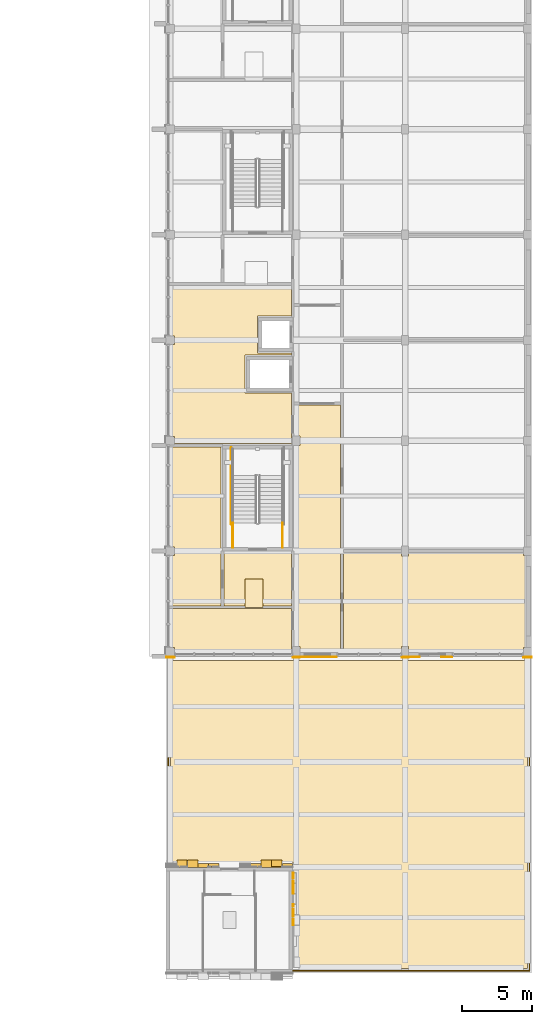
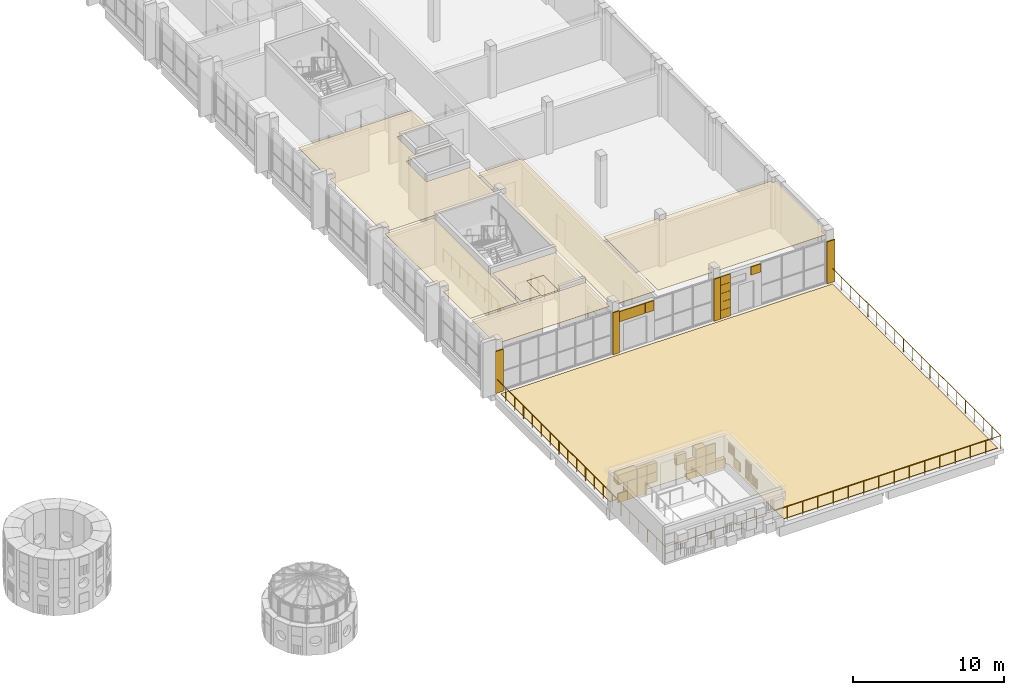
# One storey, part 38 of 42: 15 coverings, 4 railings.
"""IFC4 building model written with IfcOpenShell, lengths in metres."""

from ifc_helpers import new_model, si_unit, direction, frame, origin, origin_2d, place, context, subcontext, project, spatial, polyline, rectangle, circle, outline, extrude, material, layer, layer_set, type_object, element, save


model = new_model("IFC4")

# Units and contexts
model_context = context("Model", 3, precision=1e-05, world=origin(), true_north=direction((0.0, 1.0)))
body_context = subcontext(model_context, "Body", "Model", "MODEL_VIEW")
ifc_project = project(units=[si_unit("LENGTHUNIT", "METRE"), si_unit("AREAUNIT", "SQUARE_METRE"), si_unit("VOLUMEUNIT", "CUBIC_METRE"), si_unit("PLANEANGLEUNIT", "RADIAN"), si_unit("MASSUNIT", "GRAM", prefix="KILO")], contexts=[model_context])

# Site, building, storey
site_placement = place(None, origin())
site = spatial("IfcSite", under=ifc_project, at=site_placement, CompositionType="ELEMENT")
building_placement = place(site_placement, origin())
building = spatial("IfcBuilding", under=site, at=building_placement, Name="Sun Court Science Centre", CompositionType="ELEMENT")
storey_placement = place(building_placement, frame((0.0, 0.0, 20.25)))
storey = spatial("IfcBuildingStorey", under=building, at=storey_placement, Name="L04", CompositionType="ELEMENT", Elevation=20.25)

# Coverings
ifc_material_1 = material(Name="Gypsum board")
ifc_layer_1 = layer(ifc_material_1, 0.030029296875)
ifc_layer_set_1 = layer_set([ifc_layer_1], Name="Gypsum board")
covering_type_1 = type_object("IfcCoveringType", Name="Ceiling suspended 600 module", PredefinedType="CEILING", material=ifc_layer_set_1)
covering_1_placement = place(storey_placement, frame((0.0, 0.0, 3.77001953125)))
element("IfcCovering", 1, at=covering_1_placement, inside=storey, type_object=covering_type_1, Name="L04-006 ceiling", PredefinedType="CEILING", context=body_context, shape_type="SweptSolid", body=[
    extrude(outline(polyline([(87.10009765625, 29.199951171875), (87.10009765625, 43.5), (87.5, 43.5), (87.5, 44.199951171875), (87.10009765625, 44.199951171875), (87.10009765625, 46.39990234375), (90.39990234375, 46.39990234375), (90.39990234375, 28.699951171875), (87.5, 28.699951171875), (87.5, 29.199951171875), (87.10009765625, 29.199951171875)])), origin(), (0.0, 0.0, 1.0), 0.030029296875),
])
covering_2_placement = place(storey_placement, frame((0.0, 0.0, 3.77001953125)))
element("IfcCovering", 2, at=covering_2_placement, inside=storey, type_object=covering_type_1, Name="L04-009 ceiling", PredefinedType="CEILING", context=body_context, shape_type="SweptSolid", body=[
    extrude(outline(polyline([(84.89990234375, 34.0), (83.60009765625, 34.0), (83.60009765625, 32.10009765625), (82.10009765625, 32.10009765625), (82.10009765625, 35.89990234375), (86.89990234375, 35.89990234375), (86.89990234375, 32.10009765625), (84.89990234375, 32.10009765625), (84.89990234375, 34.0)])), origin(), (0.0, 0.0, 1.0), 0.030029296875),
])
covering_3_placement = place(storey_placement, frame((0.0, 0.0, 3.77001953125)))
element("IfcCovering", 3, at=covering_3_placement, inside=storey, type_object=covering_type_1, Name="L04-012 ceiling", PredefinedType="CEILING", context=body_context, shape_type="SweptSolid", body=[
    extrude(outline(polyline([(78.199951171875, 29.14990234375), (78.199951171875, 31.89990234375), (86.89990234375, 31.89990234375), (86.89990234375, 28.699951171875), (78.60009765625, 28.699951171875), (78.60009765625, 29.14990234375), (78.199951171875, 29.14990234375)])), origin(), (0.0, 0.0, 1.0), 0.030029296875),
])
covering_4_placement = place(storey_placement, frame((0.0, 0.0, 3.77001953125)))
element("IfcCovering", 4, at=covering_4_placement, inside=storey, type_object=covering_type_1, Name="L04-013 ceiling", PredefinedType="CEILING", context=body_context, shape_type="SweptSolid", body=[
    extrude(outline(polyline([(78.199951171875, 43.39990234375), (81.89990234375, 43.39990234375), (81.89990234375, 32.10009765625), (78.199951171875, 32.10009765625), (78.199951171875, 35.699951171875), (78.60009765625, 35.699951171875), (78.60009765625, 36.300048828125), (78.199951171875, 36.300048828125), (78.199951171875, 43.39990234375)])), origin(), (0.0, 0.0, 1.0), 0.030029296875),
])
covering_5_placement = place(storey_placement, frame((0.0, 0.0, 3.77001953125)))
element("IfcCovering", 5, at=covering_5_placement, inside=storey, type_object=covering_type_1, Name="L04-014 ceiling", PredefinedType="CEILING", context=body_context, shape_type="SweptSolid", body=[
    extrude(outline(polyline([(78.199951171875, 54.89990234375), (86.89990234375, 54.89990234375), (86.89990234375, 52.71240234375), (84.4775390625, 52.71240234375), (84.4775390625, 50.08740234375), (86.89990234375, 50.08740234375), (86.89990234375, 49.949951171875), (83.60009765625, 49.949951171875), (83.60009765625, 47.25), (86.89990234375, 47.25), (86.89990234375, 43.60009765625), (78.60009765625, 43.60009765625), (78.60009765625, 44.14990234375), (78.199951171875, 44.14990234375), (78.199951171875, 50.699951171875), (78.60009765625, 50.699951171875), (78.60009765625, 51.300048828125), (78.199951171875, 51.300048828125), (78.199951171875, 54.89990234375)])), origin(), (0.0, 0.0, 1.0), 0.030029296875),
])
covering_6_placement = place(storey_placement, frame((0.0, 0.0, 3.77001953125)))
element("IfcCovering", 6, at=covering_6_placement, inside=storey, type_object=covering_type_1, Name="L04-018 ceiling", PredefinedType="CEILING", context=body_context, shape_type="SweptSolid", body=[
    extrude(outline(polyline([(103.39990234375, 28.699951171875), (95.25, 28.699951171875), (95.25, 29.199951171875), (94.75, 29.199951171875), (94.75, 28.699951171875), (90.60009765625, 28.699951171875), (90.60009765625, 35.89990234375), (94.75, 35.89990234375), (94.75, 35.64990234375), (95.25, 35.64990234375), (95.25, 35.89990234375), (103.39990234375, 35.89990234375), (103.39990234375, 35.699951171875), (103.800048828125, 35.699951171875), (103.800048828125, 29.14990234375), (103.39990234375, 29.14990234375), (103.39990234375, 28.699951171875)])), origin(), (0.0, 0.0, 1.0), 0.030029296875),
])
covering_7_placement = place(storey_placement, frame((0.0, 0.0, 3.77001953125)))
element("IfcCovering", 7, at=covering_7_placement, inside=storey, type_object=covering_type_1, Name="L04-023 ceiling", PredefinedType="CEILING", context=body_context, shape_type="SweptSolid", body=[
    extrude(outline(polyline([(84.89990234375, 34.0), (84.89990234375, 32.0), (83.60009765625, 32.0), (83.60009765625, 34.0), (84.89990234375, 34.0)])), origin(), (0.0, 0.0, 1.0), 0.030029296875),
])

# Railings
ifc_material_2 = material(Name="Steel S275", Category="steel")
railing_type_1 = type_object("IfcRailingType", Name="Guard 1100 steel balustrade", PredefinedType="GUARDRAIL", material=ifc_material_2)
for number, where, name in (
    (8, (86.27294921875, 36.25, 0.0), "L04 SL2 stair guard 7"),
    (9, (82.72705078125, 36.25, 0.0), "L04 SL2 stair guard 8"),
):
    element("IfcRailing", number, at=place(storey_placement, frame(where)), inside=storey, type_object=railing_type_1, Name=name, PredefinedType="GUARDRAIL", context=body_context, shape_type="SweptSolid", body=[
        extrude(circle(Radius=0.02392578125, at=origin_2d()), frame((0.0, 0.0, 1.076171875), z_axis=(0.0, 1.0, 0.0), x_axis=(-1.0, 0.0, 0.0)), (0.0, 0.0, 1.0), 1.748046875),
        extrude(circle(Radius=0.02099609375, at=origin_2d()), origin(), (0.0, 0.0, 1.0), 1.052001953125),
        extrude(circle(Radius=0.02099609375, at=origin_2d()), frame((0.0, 0.8740234375, 0.0)), (0.0, 0.0, 1.0), 1.052001953125),
        extrude(circle(Radius=0.02099609375, at=origin_2d()), frame((0.0, 1.748046875, 0.0)), (0.0, 0.0, 1.0), 1.052001953125),
    ])
railing_1_placement = place(storey_placement, frame((82.626953125, 37.89794921875, 0.0)))
element("IfcRailing", 10, at=railing_1_placement, inside=storey, type_object=railing_type_1, Name="L04 SL2 stair guard 10", PredefinedType="GUARDRAIL", context=body_context, shape_type="SweptSolid", body=[
    extrude(circle(Radius=0.02392578125, at=origin_2d()), frame((0.0, 0.0, 1.076171875), z_axis=(0.0, 1.0, 0.0), x_axis=(-1.0, 0.0, 0.0)), (0.0, 0.0, 1.0), 5.4521484375),
    extrude(circle(Radius=0.02099609375, at=origin_2d()), origin(), (0.0, 0.0, 1.0), 1.052001953125),
    extrude(circle(Radius=0.02099609375, at=origin_2d()), frame((0.0, 1.09033203125, 0.0)), (0.0, 0.0, 1.0), 1.052001953125),
    extrude(circle(Radius=0.02099609375, at=origin_2d()), frame((0.0, 2.180908203125, 0.0)), (0.0, 0.0, 1.0), 1.052001953125),
    extrude(circle(Radius=0.02099609375, at=origin_2d()), frame((0.0, 3.271240234375, 0.0)), (0.0, 0.0, 1.0), 1.052001953125),
    extrude(circle(Radius=0.02099609375, at=origin_2d()), frame((0.0, 4.36181640625, 0.0)), (0.0, 0.0, 1.0), 1.052001953125),
    extrude(circle(Radius=0.02099609375, at=origin_2d()), frame((0.0, 5.4521484375, 0.0)), (0.0, 0.0, 1.0), 1.052001953125),
])

# Coverings
ifc_material_3 = material(Name="Red sandstone", Category="masonry")
ifc_layer_2 = layer(ifc_material_3, 0.080078125)
ifc_layer_set_2 = layer_set([ifc_layer_2], Name="Red sandstone")
covering_type_2 = type_object("IfcCoveringType", Name="Red sandstone pier cladding", PredefinedType="CLADDING", material=ifc_layer_set_2)
covering_8_placement = place(storey_placement, frame((0.0, 0.0, -20.25)))
element("IfcCovering", 11, at=covering_8_placement, inside=storey, type_object=covering_type_2, Name="Red sandstone pier cladding south face of the garden level L04", PredefinedType="CLADDING", context=body_context, shape_type="SweptSolid", body=[
    extrude(rectangle(XDim=0.60009765625, YDim=0.080078125, at=origin_2d()), frame((103.699951171875, 28.4599609375, 20.25), z_axis=(0.0, 0.0, 1.0), x_axis=(-1.0, 0.0, 0.0)), (0.0, 0.0, 1.0), 3.39990234375),
    extrude(rectangle(XDim=0.5, YDim=0.080078125, at=origin_2d()), frame((95.0, 28.4599609375, 20.25), z_axis=(0.0, 0.0, 1.0), x_axis=(-1.0, 0.0, 0.0)), (0.0, 0.0, 1.0), 3.39990234375),
    extrude(rectangle(XDim=0.5, YDim=0.080078125, at=origin_2d()), frame((87.25, 28.4599609375, 20.25), z_axis=(0.0, 0.0, 1.0), x_axis=(-1.0, 0.0, 0.0)), (0.0, 0.0, 1.0), 3.39990234375),
    extrude(rectangle(XDim=0.60009765625, YDim=0.080078125, at=origin_2d()), frame((78.300048828125, 28.4599609375, 20.25), z_axis=(0.0, 0.0, 1.0), x_axis=(-1.0, 0.0, 0.0)), (0.0, 0.0, 1.0), 3.39990234375),
])
ifc_material_4 = material(Name="Red sandstone", Category="masonry")
ifc_layer_3 = layer(ifc_material_4, 0.06005859375)
ifc_layer_set_3 = layer_set([ifc_layer_3], Name="Red sandstone")
covering_type_3 = type_object("IfcCoveringType", Name="Red sandstone wall cladding 750", PredefinedType="CLADDING", material=ifc_layer_set_3)
covering_9_placement = place(storey_placement, frame((0.0, 0.0, -20.25)))
element("IfcCovering", 12, at=covering_9_placement, inside=storey, type_object=covering_type_3, Name="Red sandstone wall cladding south face of the garden level L04", PredefinedType="CLADDING", context=body_context, shape_type="SweptSolid", body=[
    extrude(rectangle(XDim=0.764892578125, YDim=0.06005859375, at=origin_2d()), frame((95.637451171875, 28.469970703125, 20.255126953125), z_axis=(0.0, 0.0, 1.0), x_axis=(-1.0, 0.0, 0.0)), (0.0, 0.0, 1.0), 0.669921875),
    extrude(rectangle(XDim=0.764892578125, YDim=0.06005859375, at=origin_2d()), frame((95.637451171875, 28.469970703125, 20.93505859375), z_axis=(0.0, 0.0, 1.0), x_axis=(-1.0, 0.0, 0.0)), (0.0, 0.0, 1.0), 0.669921875),
    extrude(rectangle(XDim=0.764892578125, YDim=0.06005859375, at=origin_2d()), frame((95.637451171875, 28.469970703125, 21.614990234375), z_axis=(0.0, 0.0, 1.0), x_axis=(-1.0, 0.0, 0.0)), (0.0, 0.0, 1.0), 0.669921875),
    extrude(rectangle(XDim=0.764892578125, YDim=0.06005859375, at=origin_2d()), frame((95.637451171875, 28.469970703125, 22.294921875), z_axis=(0.0, 0.0, 1.0), x_axis=(-1.0, 0.0, 0.0)), (0.0, 0.0, 1.0), 0.669921875),
    extrude(rectangle(XDim=0.764892578125, YDim=0.06005859375, at=origin_2d()), frame((97.96240234375, 28.469970703125, 22.97509765625), z_axis=(0.0, 0.0, 1.0), x_axis=(-1.0, 0.0, 0.0)), (0.0, 0.0, 1.0), 0.669921875),
    extrude(rectangle(XDim=0.764892578125, YDim=0.06005859375, at=origin_2d()), frame((95.637451171875, 28.469970703125, 22.97509765625), z_axis=(0.0, 0.0, 1.0), x_axis=(-1.0, 0.0, 0.0)), (0.0, 0.0, 1.0), 0.669921875),
    extrude(rectangle(XDim=0.652587890625, YDim=0.06005859375, at=origin_2d()), frame((89.81884765625, 28.469970703125, 22.72998046875), z_axis=(0.0, 0.0, 1.0), x_axis=(-1.0, 0.0, 0.0)), (0.0, 0.0, 1.0), 0.81494140625),
    extrude(rectangle(XDim=0.652587890625, YDim=0.06005859375, at=origin_2d()), frame((89.15625, 28.469970703125, 22.72998046875), z_axis=(0.0, 0.0, 1.0), x_axis=(-1.0, 0.0, 0.0)), (0.0, 0.0, 1.0), 0.81494140625),
    extrude(rectangle(XDim=0.652587890625, YDim=0.06005859375, at=origin_2d()), frame((88.49365234375, 28.469970703125, 22.72998046875), z_axis=(0.0, 0.0, 1.0), x_axis=(-1.0, 0.0, 0.0)), (0.0, 0.0, 1.0), 0.81494140625),
    extrude(rectangle(XDim=0.652587890625, YDim=0.06005859375, at=origin_2d()), frame((87.831298828125, 28.469970703125, 22.72998046875), z_axis=(0.0, 0.0, 1.0), x_axis=(-1.0, 0.0, 0.0)), (0.0, 0.0, 1.0), 0.81494140625),
])

# Railing
ifc_material_5 = material(Name="Steel S275", Category="steel")
railing_type_2 = type_object("IfcRailingType", Name="Roof guard 1100 steel balustrade", PredefinedType="GUARDRAIL", material=ifc_material_5)
railing_2_placement = place(storey_placement, frame((103.85009765625, 28.47900390625, 0.0)))
element("IfcRailing", 13, at=railing_2_placement, inside=storey, type_object=railing_type_2, Name="Roof garden guard", PredefinedType="GUARDRAIL", context=body_context, shape_type="SweptSolid", body=[
    extrude(circle(Radius=0.02392578125, at=origin_2d()), frame((0.0, 0.0, 1.076171875), z_axis=(0.0, -1.0, 0.0), x_axis=(1.0, 0.0, 0.0)), (0.0, 0.0, 1.0), 22.3291015625),
    extrude(circle(Radius=0.02392578125, at=origin_2d()), frame((0.0, -22.3291015625, 1.076171875), z_axis=(-1.0, 0.0, 0.0), x_axis=(0.0, -1.0, 0.0)), (0.0, 0.0, 1.0), 25.7001953125),
    extrude(circle(Radius=0.02392578125, at=origin_2d()), frame((-25.7001953125, -22.3291015625, 1.076171875), z_axis=(0.0, 1.0, 0.0), x_axis=(-1.0, 0.0, 0.0)), (0.0, 0.0, 1.0), 22.3291015625),
    extrude(circle(Radius=0.02099609375, at=origin_2d()), origin(), (0.0, 0.0, 1.0), 1.052001953125),
    extrude(circle(Radius=0.02099609375, at=origin_2d()), frame((0.0, -1.17529296875, 0.0)), (0.0, 0.0, 1.0), 1.052001953125),
    extrude(circle(Radius=0.02099609375, at=origin_2d()), frame((0.0, -2.350341796875, 0.0)), (0.0, 0.0, 1.0), 1.052001953125),
    extrude(circle(Radius=0.02099609375, at=origin_2d()), frame((0.0, -3.525634765625, 0.0)), (0.0, 0.0, 1.0), 1.052001953125),
    extrude(circle(Radius=0.02099609375, at=origin_2d()), frame((0.0, -4.700927734375, 0.0)), (0.0, 0.0, 1.0), 1.052001953125),
    extrude(circle(Radius=0.02099609375, at=origin_2d()), frame((0.0, -5.8759765625, 0.0)), (0.0, 0.0, 1.0), 1.052001953125),
    extrude(circle(Radius=0.02099609375, at=origin_2d()), frame((0.0, -7.05126953125, 0.0)), (0.0, 0.0, 1.0), 1.052001953125),
    extrude(circle(Radius=0.02099609375, at=origin_2d()), frame((0.0, -8.2265625, 0.0)), (0.0, 0.0, 1.0), 1.052001953125),
    extrude(circle(Radius=0.02099609375, at=origin_2d()), frame((0.0, -9.401611328125, 0.0)), (0.0, 0.0, 1.0), 1.052001953125),
    extrude(circle(Radius=0.02099609375, at=origin_2d()), frame((0.0, -10.576904296875, 0.0)), (0.0, 0.0, 1.0), 1.052001953125),
    extrude(circle(Radius=0.02099609375, at=origin_2d()), frame((0.0, -11.752197265625, 0.0)), (0.0, 0.0, 1.0), 1.052001953125),
    extrude(circle(Radius=0.02099609375, at=origin_2d()), frame((0.0, -12.927490234375, 0.0)), (0.0, 0.0, 1.0), 1.052001953125),
    extrude(circle(Radius=0.02099609375, at=origin_2d()), frame((0.0, -14.1025390625, 0.0)), (0.0, 0.0, 1.0), 1.052001953125),
    extrude(circle(Radius=0.02099609375, at=origin_2d()), frame((0.0, -15.27783203125, 0.0)), (0.0, 0.0, 1.0), 1.052001953125),
    extrude(circle(Radius=0.02099609375, at=origin_2d()), frame((0.0, -16.453125, 0.0)), (0.0, 0.0, 1.0), 1.052001953125),
    extrude(circle(Radius=0.02099609375, at=origin_2d()), frame((0.0, -17.628173828125, 0.0)), (0.0, 0.0, 1.0), 1.052001953125),
    extrude(circle(Radius=0.02099609375, at=origin_2d()), frame((0.0, -18.803466796875, 0.0)), (0.0, 0.0, 1.0), 1.052001953125),
    extrude(circle(Radius=0.02099609375, at=origin_2d()), frame((0.0, -19.978759765625, 0.0)), (0.0, 0.0, 1.0), 1.052001953125),
    extrude(circle(Radius=0.02099609375, at=origin_2d()), frame((0.0, -21.15380859375, 0.0)), (0.0, 0.0, 1.0), 1.052001953125),
    extrude(circle(Radius=0.02099609375, at=origin_2d()), frame((0.0, -22.3291015625, 0.0)), (0.0, 0.0, 1.0), 1.052001953125),
    extrude(circle(Radius=0.02099609375, at=origin_2d()), frame((-1.168212890625, -22.3291015625, 0.0)), (0.0, 0.0, 1.0), 1.052001953125),
    extrude(circle(Radius=0.02099609375, at=origin_2d()), frame((-2.33642578125, -22.3291015625, 0.0)), (0.0, 0.0, 1.0), 1.052001953125),
    extrude(circle(Radius=0.02099609375, at=origin_2d()), frame((-3.504638671875, -22.3291015625, 0.0)), (0.0, 0.0, 1.0), 1.052001953125),
    extrude(circle(Radius=0.02099609375, at=origin_2d()), frame((-4.6728515625, -22.3291015625, 0.0)), (0.0, 0.0, 1.0), 1.052001953125),
    extrude(circle(Radius=0.02099609375, at=origin_2d()), frame((-5.841064453125, -22.3291015625, 0.0)), (0.0, 0.0, 1.0), 1.052001953125),
    extrude(circle(Radius=0.02099609375, at=origin_2d()), frame((-7.009033203125, -22.3291015625, 0.0)), (0.0, 0.0, 1.0), 1.052001953125),
    extrude(circle(Radius=0.02099609375, at=origin_2d()), frame((-8.17724609375, -22.3291015625, 0.0)), (0.0, 0.0, 1.0), 1.052001953125),
    extrude(circle(Radius=0.02099609375, at=origin_2d()), frame((-9.345458984375, -22.3291015625, 0.0)), (0.0, 0.0, 1.0), 1.052001953125),
    extrude(circle(Radius=0.02099609375, at=origin_2d()), frame((-10.513671875, -22.3291015625, 0.0)), (0.0, 0.0, 1.0), 1.052001953125),
    extrude(circle(Radius=0.02099609375, at=origin_2d()), frame((-11.681884765625, -22.3291015625, 0.0)), (0.0, 0.0, 1.0), 1.052001953125),
    extrude(circle(Radius=0.02099609375, at=origin_2d()), frame((-12.85009765625, -22.3291015625, 0.0)), (0.0, 0.0, 1.0), 1.052001953125),
    extrude(circle(Radius=0.02099609375, at=origin_2d()), frame((-14.018310546875, -22.3291015625, 0.0)), (0.0, 0.0, 1.0), 1.052001953125),
    extrude(circle(Radius=0.02099609375, at=origin_2d()), frame((-15.1865234375, -22.3291015625, 0.0)), (0.0, 0.0, 1.0), 1.052001953125),
    extrude(circle(Radius=0.02099609375, at=origin_2d()), frame((-16.354736328125, -22.3291015625, 0.0)), (0.0, 0.0, 1.0), 1.052001953125),
    extrude(circle(Radius=0.02099609375, at=origin_2d()), frame((-17.52294921875, -22.3291015625, 0.0)), (0.0, 0.0, 1.0), 1.052001953125),
    extrude(circle(Radius=0.02099609375, at=origin_2d()), frame((-18.691162109375, -22.3291015625, 0.0)), (0.0, 0.0, 1.0), 1.052001953125),
    extrude(circle(Radius=0.02099609375, at=origin_2d()), frame((-19.859130859375, -22.3291015625, 0.0)), (0.0, 0.0, 1.0), 1.052001953125),
    extrude(circle(Radius=0.02099609375, at=origin_2d()), frame((-21.02734375, -22.3291015625, 0.0)), (0.0, 0.0, 1.0), 1.052001953125),
    extrude(circle(Radius=0.02099609375, at=origin_2d()), frame((-22.195556640625, -22.3291015625, 0.0)), (0.0, 0.0, 1.0), 1.052001953125),
    extrude(circle(Radius=0.02099609375, at=origin_2d()), frame((-23.36376953125, -22.3291015625, 0.0)), (0.0, 0.0, 1.0), 1.052001953125),
    extrude(circle(Radius=0.02099609375, at=origin_2d()), frame((-24.531982421875, -22.3291015625, 0.0)), (0.0, 0.0, 1.0), 1.052001953125),
    extrude(circle(Radius=0.02099609375, at=origin_2d()), frame((-25.7001953125, -22.3291015625, 0.0)), (0.0, 0.0, 1.0), 1.052001953125),
    extrude(circle(Radius=0.02099609375, at=origin_2d()), frame((-25.7001953125, -21.15380859375, 0.0)), (0.0, 0.0, 1.0), 1.052001953125),
    extrude(circle(Radius=0.02099609375, at=origin_2d()), frame((-25.7001953125, -19.978759765625, 0.0)), (0.0, 0.0, 1.0), 1.052001953125),
    extrude(circle(Radius=0.02099609375, at=origin_2d()), frame((-25.7001953125, -18.803466796875, 0.0)), (0.0, 0.0, 1.0), 1.052001953125),
    extrude(circle(Radius=0.02099609375, at=origin_2d()), frame((-25.7001953125, -17.628173828125, 0.0)), (0.0, 0.0, 1.0), 1.052001953125),
    extrude(circle(Radius=0.02099609375, at=origin_2d()), frame((-25.7001953125, -16.453125, 0.0)), (0.0, 0.0, 1.0), 1.052001953125),
    extrude(circle(Radius=0.02099609375, at=origin_2d()), frame((-25.7001953125, -15.27783203125, 0.0)), (0.0, 0.0, 1.0), 1.052001953125),
    extrude(circle(Radius=0.02099609375, at=origin_2d()), frame((-25.7001953125, -14.1025390625, 0.0)), (0.0, 0.0, 1.0), 1.052001953125),
    extrude(circle(Radius=0.02099609375, at=origin_2d()), frame((-25.7001953125, -12.927490234375, 0.0)), (0.0, 0.0, 1.0), 1.052001953125),
    extrude(circle(Radius=0.02099609375, at=origin_2d()), frame((-25.7001953125, -11.752197265625, 0.0)), (0.0, 0.0, 1.0), 1.052001953125),
    extrude(circle(Radius=0.02099609375, at=origin_2d()), frame((-25.7001953125, -10.576904296875, 0.0)), (0.0, 0.0, 1.0), 1.052001953125),
    extrude(circle(Radius=0.02099609375, at=origin_2d()), frame((-25.7001953125, -9.401611328125, 0.0)), (0.0, 0.0, 1.0), 1.052001953125),
    extrude(circle(Radius=0.02099609375, at=origin_2d()), frame((-25.7001953125, -8.2265625, 0.0)), (0.0, 0.0, 1.0), 1.052001953125),
    extrude(circle(Radius=0.02099609375, at=origin_2d()), frame((-25.7001953125, -7.05126953125, 0.0)), (0.0, 0.0, 1.0), 1.052001953125),
    extrude(circle(Radius=0.02099609375, at=origin_2d()), frame((-25.7001953125, -5.8759765625, 0.0)), (0.0, 0.0, 1.0), 1.052001953125),
    extrude(circle(Radius=0.02099609375, at=origin_2d()), frame((-25.7001953125, -4.700927734375, 0.0)), (0.0, 0.0, 1.0), 1.052001953125),
    extrude(circle(Radius=0.02099609375, at=origin_2d()), frame((-25.7001953125, -3.525634765625, 0.0)), (0.0, 0.0, 1.0), 1.052001953125),
    extrude(circle(Radius=0.02099609375, at=origin_2d()), frame((-25.7001953125, -2.350341796875, 0.0)), (0.0, 0.0, 1.0), 1.052001953125),
    extrude(circle(Radius=0.02099609375, at=origin_2d()), frame((-25.7001953125, -1.17529296875, 0.0)), (0.0, 0.0, 1.0), 1.052001953125),
    extrude(circle(Radius=0.02099609375, at=origin_2d()), frame((-25.7001953125, 0.0, 0.0)), (0.0, 0.0, 1.0), 1.052001953125),
])

# Coverings
ifc_material_6 = material(Name="Sandstone paving", Category="masonry")
ifc_layer_4 = layer(ifc_material_6, 0.0400390625)
ifc_layer_set_4 = layer_set([ifc_layer_4], Name="Sandstone paving")
covering_type_4 = type_object("IfcCoveringType", Name="Terrace paving 40", PredefinedType="FLOORING", material=ifc_layer_set_4)
covering_10_placement = place(storey_placement, origin())
element("IfcCovering", 14, at=covering_10_placement, inside=storey, type_object=covering_type_4, Name="Roof garden paving", PredefinedType="FLOORING", context=body_context, shape_type="SweptSolid", body=[
    extrude(outline(polyline([(87.300048828125, 6.300048828125), (87.300048828125, 13.5), (87.298583984375, 13.529296875), (87.294189453125, 13.55859375), (87.287109375, 13.587158203125), (87.277099609375, 13.61474609375), (87.2646484375, 13.641357421875), (87.24951171875, 13.666748046875), (87.23193359375, 13.6904296875), (87.212158203125, 13.712158203125), (87.1904296875, 13.73193359375), (87.166748046875, 13.74951171875), (87.141357421875, 13.7646484375), (87.11474609375, 13.777099609375), (87.087158203125, 13.787109375), (87.05859375, 13.794189453125), (87.029296875, 13.798583984375), (87.0, 13.800048828125), (78.300048828125, 13.800048828125), (78.300048828125, 28.199951171875), (103.699951171875, 28.199951171875), (103.699951171875, 6.300048828125), (87.300048828125, 6.300048828125)])), origin(), (0.0, 0.0, 1.0), 0.0400390625),
])
ifc_material_7 = material(Name="Terracotta jali", Category="masonry")
ifc_layer_5 = layer(ifc_material_7, 0.06005859375)
ifc_layer_set_5 = layer_set([ifc_layer_5], Name="Terracotta jali")
covering_type_5 = type_object("IfcCoveringType", Name="Terracotta open jali panel", PredefinedType="CLADDING", material=ifc_layer_set_5)
covering_11_placement = place(storey_placement, frame((0.0, 0.0, -20.25)))
element("IfcCovering", 15, at=covering_11_placement, inside=storey, type_object=covering_type_5, Name="Open jali pixel cladding east face of core L04", PredefinedType="CLADDING", context=body_context, shape_type="SweptSolid", body=[
    extrude(rectangle(XDim=0.139892578125, YDim=0.06005859375, at=origin_2d()), frame((87.030029296875, 10.800048828125, 20.93017578125), z_axis=(0.0, 0.0, 1.0), x_axis=(0.0, -1.0, 0.0)), (0.0, 0.0, 1.0), 0.739990234375),
    extrude(rectangle(XDim=0.139892578125, YDim=0.06005859375, at=origin_2d()), frame((87.030029296875, 10.5, 20.93017578125), z_axis=(0.0, 0.0, 1.0), x_axis=(0.0, -1.0, 0.0)), (0.0, 0.0, 1.0), 0.739990234375),
    extrude(rectangle(XDim=0.139892578125, YDim=0.06005859375, at=origin_2d()), frame((87.030029296875, 10.199951171875, 20.93017578125), z_axis=(0.0, 0.0, 1.0), x_axis=(0.0, -1.0, 0.0)), (0.0, 0.0, 1.0), 0.739990234375),
    extrude(rectangle(XDim=0.139892578125, YDim=0.06005859375, at=origin_2d()), frame((87.030029296875, 10.050048828125, 20.93017578125), z_axis=(0.0, 0.0, 1.0), x_axis=(0.0, -1.0, 0.0)), (0.0, 0.0, 1.0), 0.739990234375),
    extrude(rectangle(XDim=0.139892578125, YDim=0.06005859375, at=origin_2d()), frame((87.030029296875, 9.75, 20.93017578125), z_axis=(0.0, 0.0, 1.0), x_axis=(0.0, -1.0, 0.0)), (0.0, 0.0, 1.0), 0.739990234375),
    extrude(rectangle(XDim=0.139892578125, YDim=0.06005859375, at=origin_2d()), frame((87.030029296875, 9.449951171875, 20.93017578125), z_axis=(0.0, 0.0, 1.0), x_axis=(0.0, -1.0, 0.0)), (0.0, 0.0, 1.0), 0.739990234375),
    extrude(rectangle(XDim=0.139892578125, YDim=0.06005859375, at=origin_2d()), frame((87.030029296875, 13.050048828125, 21.68017578125), z_axis=(0.0, 0.0, 1.0), x_axis=(0.0, -1.0, 0.0)), (0.0, 0.0, 1.0), 0.739990234375),
    extrude(rectangle(XDim=0.139892578125, YDim=0.06005859375, at=origin_2d()), frame((87.030029296875, 12.75, 21.68017578125), z_axis=(0.0, 0.0, 1.0), x_axis=(0.0, -1.0, 0.0)), (0.0, 0.0, 1.0), 0.739990234375),
    extrude(rectangle(XDim=0.139892578125, YDim=0.06005859375, at=origin_2d()), frame((87.030029296875, 12.449951171875, 21.68017578125), z_axis=(0.0, 0.0, 1.0), x_axis=(0.0, -1.0, 0.0)), (0.0, 0.0, 1.0), 0.739990234375),
    extrude(rectangle(XDim=0.139892578125, YDim=0.06005859375, at=origin_2d()), frame((87.030029296875, 10.800048828125, 21.68017578125), z_axis=(0.0, 0.0, 1.0), x_axis=(0.0, -1.0, 0.0)), (0.0, 0.0, 1.0), 0.739990234375),
    extrude(rectangle(XDim=0.139892578125, YDim=0.06005859375, at=origin_2d()), frame((87.030029296875, 10.5, 21.68017578125), z_axis=(0.0, 0.0, 1.0), x_axis=(0.0, -1.0, 0.0)), (0.0, 0.0, 1.0), 0.739990234375),
    extrude(rectangle(XDim=0.139892578125, YDim=0.06005859375, at=origin_2d()), frame((87.030029296875, 10.199951171875, 21.68017578125), z_axis=(0.0, 0.0, 1.0), x_axis=(0.0, -1.0, 0.0)), (0.0, 0.0, 1.0), 0.739990234375),
])
ifc_material_8 = material(Name="Terracotta shade 1", Category="masonry")
ifc_layer_6 = layer(ifc_material_8, 0.06005859375)
ifc_layer_set_6 = layer_set([ifc_layer_6], Name="Terracotta shade 1")
covering_type_6 = type_object("IfcCoveringType", Name="Terracotta pixel panel shade 1", PredefinedType="CLADDING", material=ifc_layer_set_6)
covering_12_placement = place(storey_placement, frame((0.0, 0.0, -20.25)))
element("IfcCovering", 16, at=covering_12_placement, inside=storey, type_object=covering_type_6, Name="Terracotta pixel cladding shade 1 north face of core L04", PredefinedType="CLADDING", context=body_context, shape_type="SweptSolid", body=[
    extrude(rectangle(XDim=0.739990234375, YDim=0.06005859375, at=origin_2d()), frame((79.125, 13.530029296875, 20.18017578125), z_axis=(0.0, 0.0, 1.0), x_axis=(1.0, 0.0, 0.0)), (0.0, 0.0, 1.0), 0.739990234375),
    extrude(rectangle(XDim=0.739990234375, YDim=0.06005859375, at=origin_2d()), frame((84.375, 13.530029296875, 20.18017578125), z_axis=(0.0, 0.0, 1.0), x_axis=(1.0, 0.0, 0.0)), (0.0, 0.0, 1.0), 0.739990234375),
    extrude(rectangle(XDim=0.739990234375, YDim=0.260009765625, at=origin_2d()), frame((86.625, 13.6298828125, 20.18017578125), z_axis=(0.0, 0.0, 1.0), x_axis=(1.0, 0.0, 0.0)), (0.0, 0.0, 1.0), 0.739990234375),
    extrude(rectangle(XDim=0.739990234375, YDim=0.260009765625, at=origin_2d()), frame((84.375, 13.6298828125, 20.93017578125), z_axis=(0.0, 0.0, 1.0), x_axis=(1.0, 0.0, 0.0)), (0.0, 0.0, 1.0), 0.739990234375),
    extrude(rectangle(XDim=0.739990234375, YDim=0.06005859375, at=origin_2d()), frame((85.875, 13.530029296875, 20.93017578125), z_axis=(0.0, 0.0, 1.0), x_axis=(1.0, 0.0, 0.0)), (0.0, 0.0, 1.0), 0.739990234375),
    extrude(rectangle(XDim=0.739990234375, YDim=0.510009765625, at=origin_2d()), frame((79.125, 13.7548828125, 21.68017578125), z_axis=(0.0, 0.0, 1.0), x_axis=(1.0, 0.0, 0.0)), (0.0, 0.0, 1.0), 0.739990234375),
    extrude(rectangle(XDim=0.739990234375, YDim=0.510009765625, at=origin_2d()), frame((79.875, 13.7548828125, 21.68017578125), z_axis=(0.0, 0.0, 1.0), x_axis=(1.0, 0.0, 0.0)), (0.0, 0.0, 1.0), 0.739990234375),
    extrude(rectangle(XDim=0.739990234375, YDim=0.260009765625, at=origin_2d()), frame((81.375, 13.6298828125, 21.68017578125), z_axis=(0.0, 0.0, 1.0), x_axis=(1.0, 0.0, 0.0)), (0.0, 0.0, 1.0), 0.739990234375),
])
ifc_material_9 = material(Name="Terracotta shade 2", Category="masonry")
ifc_layer_7 = layer(ifc_material_9, 0.06005859375)
ifc_layer_set_7 = layer_set([ifc_layer_7], Name="Terracotta shade 2")
covering_type_7 = type_object("IfcCoveringType", Name="Terracotta pixel panel shade 2", PredefinedType="CLADDING", material=ifc_layer_set_7)
covering_13_placement = place(storey_placement, frame((0.0, 0.0, -20.25)))
element("IfcCovering", 17, at=covering_13_placement, inside=storey, type_object=covering_type_7, Name="Terracotta pixel cladding shade 2 north face of core L04", PredefinedType="CLADDING", context=body_context, shape_type="SweptSolid", body=[
    extrude(rectangle(XDim=0.739990234375, YDim=0.510009765625, at=origin_2d()), frame((79.875, 13.7548828125, 20.18017578125), z_axis=(0.0, 0.0, 1.0), x_axis=(1.0, 0.0, 0.0)), (0.0, 0.0, 1.0), 0.739990234375),
    extrude(rectangle(XDim=0.739990234375, YDim=0.510009765625, at=origin_2d()), frame((79.875, 13.7548828125, 20.93017578125), z_axis=(0.0, 0.0, 1.0), x_axis=(1.0, 0.0, 0.0)), (0.0, 0.0, 1.0), 0.739990234375),
    extrude(rectangle(XDim=0.739990234375, YDim=0.06005859375, at=origin_2d()), frame((81.375, 13.530029296875, 20.93017578125), z_axis=(0.0, 0.0, 1.0), x_axis=(1.0, 0.0, 0.0)), (0.0, 0.0, 1.0), 0.739990234375),
    extrude(rectangle(XDim=0.739990234375, YDim=0.260009765625, at=origin_2d()), frame((83.625, 13.6298828125, 21.68017578125), z_axis=(0.0, 0.0, 1.0), x_axis=(1.0, 0.0, 0.0)), (0.0, 0.0, 1.0), 0.739990234375),
    extrude(rectangle(XDim=0.739990234375, YDim=0.06005859375, at=origin_2d()), frame((85.875, 13.530029296875, 21.68017578125), z_axis=(0.0, 0.0, 1.0), x_axis=(1.0, 0.0, 0.0)), (0.0, 0.0, 1.0), 0.739990234375),
    extrude(rectangle(XDim=0.739990234375, YDim=0.510009765625, at=origin_2d()), frame((85.875, 13.7548828125, 20.18017578125), z_axis=(0.0, 0.0, 1.0), x_axis=(1.0, 0.0, 0.0)), (0.0, 0.0, 1.0), 0.739990234375),
])
ifc_material_10 = material(Name="Terracotta shade 3", Category="masonry")
ifc_layer_8 = layer(ifc_material_10, 0.06005859375)
ifc_layer_set_8 = layer_set([ifc_layer_8], Name="Terracotta shade 3")
covering_type_8 = type_object("IfcCoveringType", Name="Terracotta pixel panel shade 3", PredefinedType="CLADDING", material=ifc_layer_set_8)
covering_14_placement = place(storey_placement, frame((0.0, 0.0, -20.25)))
element("IfcCovering", 18, at=covering_14_placement, inside=storey, type_object=covering_type_8, Name="Terracotta pixel cladding shade 3 north face of core L04", PredefinedType="CLADDING", context=body_context, shape_type="SweptSolid", body=[
    extrude(rectangle(XDim=0.739990234375, YDim=0.260009765625, at=origin_2d()), frame((85.125, 13.6298828125, 20.18017578125), z_axis=(0.0, 0.0, 1.0), x_axis=(1.0, 0.0, 0.0)), (0.0, 0.0, 1.0), 0.739990234375),
    extrude(rectangle(XDim=0.739990234375, YDim=0.06005859375, at=origin_2d()), frame((80.625, 13.530029296875, 20.93017578125), z_axis=(0.0, 0.0, 1.0), x_axis=(1.0, 0.0, 0.0)), (0.0, 0.0, 1.0), 0.739990234375),
    extrude(rectangle(XDim=0.739990234375, YDim=0.06005859375, at=origin_2d()), frame((85.125, 13.530029296875, 20.93017578125), z_axis=(0.0, 0.0, 1.0), x_axis=(1.0, 0.0, 0.0)), (0.0, 0.0, 1.0), 0.739990234375),
    extrude(rectangle(XDim=0.739990234375, YDim=0.510009765625, at=origin_2d()), frame((85.125, 13.7548828125, 21.68017578125), z_axis=(0.0, 0.0, 1.0), x_axis=(1.0, 0.0, 0.0)), (0.0, 0.0, 1.0), 0.739990234375),
    extrude(rectangle(XDim=0.739990234375, YDim=0.06005859375, at=origin_2d()), frame((80.625, 13.530029296875, 20.18017578125), z_axis=(0.0, 0.0, 1.0), x_axis=(1.0, 0.0, 0.0)), (0.0, 0.0, 1.0), 0.739990234375),
    extrude(rectangle(XDim=0.739990234375, YDim=0.260009765625, at=origin_2d()), frame((80.625, 13.6298828125, 21.68017578125), z_axis=(0.0, 0.0, 1.0), x_axis=(1.0, 0.0, 0.0)), (0.0, 0.0, 1.0), 0.739990234375),
])
ifc_material_11 = material(Name="Terracotta shade 5", Category="masonry")
ifc_layer_9 = layer(ifc_material_11, 0.06005859375)
ifc_layer_set_9 = layer_set([ifc_layer_9], Name="Terracotta shade 5")
covering_type_9 = type_object("IfcCoveringType", Name="Terracotta pixel panel shade 5", PredefinedType="CLADDING", material=ifc_layer_set_9)
covering_15_placement = place(storey_placement, frame((0.0, 0.0, -20.25)))
element("IfcCovering", 19, at=covering_15_placement, inside=storey, type_object=covering_type_9, Name="Terracotta pixel cladding shade 5 east face of core L04", PredefinedType="CLADDING", context=body_context, shape_type="SweptSolid", body=[
    extrude(rectangle(XDim=0.739990234375, YDim=0.06005859375, at=origin_2d()), frame((87.030029296875, 12.0, 20.93017578125), z_axis=(0.0, 0.0, 1.0), x_axis=(0.0, -1.0, 0.0)), (0.0, 0.0, 1.0), 0.739990234375),
])

save(model, "model.ifc")
